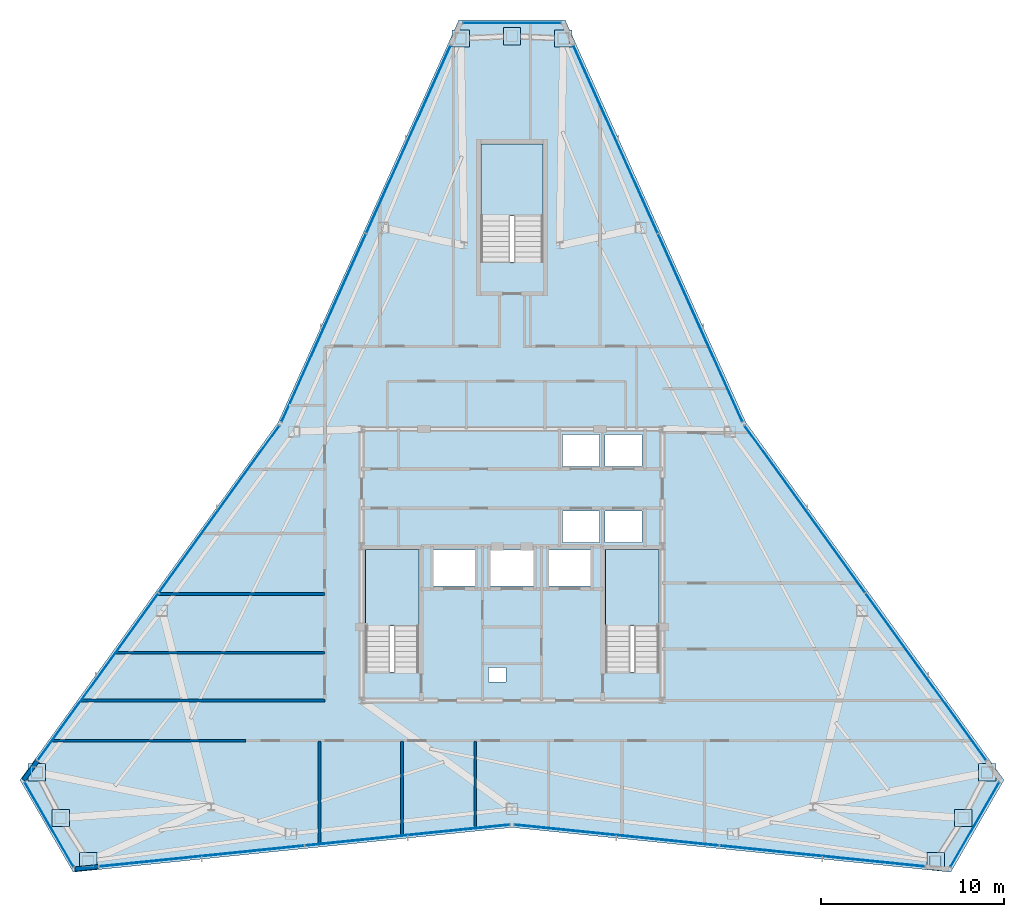
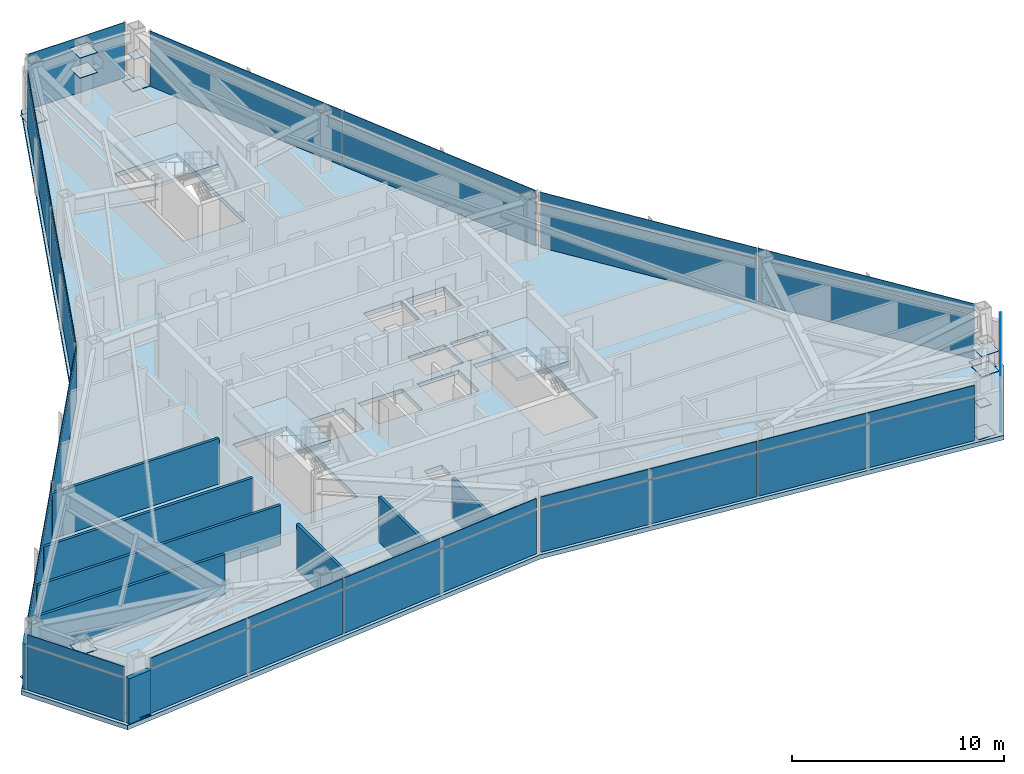
# One storey, part 8 of 12: 45 plates, 9 walls, 4 slabs, 12 elements without a shape of their own.
"""IFC4 building model written with IfcOpenShell, lengths in metres."""

from ifc_helpers import new_model, si_unit, direction, frame, frame_2d, origin, origin_2d, place, context, subcontext, project, spatial, polyline, rectangle, outline, extrude, source, transform, mapped, material, layer, layer_set, type_object, type_shapes, element, aggregate, save


model = new_model("IFC4")

# Units and contexts
model_context = context("Model", 3, precision=1e-05, world=origin(), true_north=direction((0.0, 1.0)))
body_context = subcontext(model_context, "Body", "Model", "MODEL_VIEW")
ifc_project = project(units=[si_unit("LENGTHUNIT", "METRE"), si_unit("AREAUNIT", "SQUARE_METRE"), si_unit("VOLUMEUNIT", "CUBIC_METRE"), si_unit("PLANEANGLEUNIT", "RADIAN"), si_unit("MASSUNIT", "GRAM", prefix="KILO")], contexts=[model_context])

# Site, building, storey
site_placement = place(None, origin())
site = spatial("IfcSite", under=ifc_project, at=site_placement, CompositionType="ELEMENT")
building_placement = place(site_placement, origin())
building = spatial("IfcBuilding", under=site, at=building_placement, Name="Varakhsha Concourse Tower", CompositionType="ELEMENT")
storey_placement = place(building_placement, frame((0.0, 0.0, 255.0)))
storey = spatial("IfcBuildingStorey", under=building, at=storey_placement, Name="L72", CompositionType="ELEMENT", Elevation=255.0)

# Slab
ifc_material_1 = material(Name="Concrete fc 45 MPa", Category="concrete")
ifc_layer_1 = layer(ifc_material_1, 0.25, Name="SL-FLR-250")
ifc_layer_set_1 = layer_set([ifc_layer_1], Name="Concrete fc 45 MPa")
slab_type_1 = type_object("IfcSlabType", Name="SL-FLR-250", PredefinedType="FLOOR", material=ifc_layer_set_1)
slab_1_placement = place(storey_placement, frame((0.0, 0.0, -0.25)))
element("IfcSlab", 1, at=slab_1_placement, inside=storey, type_object=slab_type_1, Name="L72 Composite Structural Slab", PredefinedType="FLOOR", context=body_context, shape_type="SweptSolid", body=[
    extrude(outline(polyline([(42.89990234375, 53.4970703125), (37.10009765625, 53.4970703125), (27.249267578125, 31.5615234375), (13.177978515625, 12.06298828125), (16.077880859375, 7.0400390625), (40.0, 9.476806640625), (63.922119140625, 7.0400390625), (66.822021484375, 12.06298828125), (52.750732421875, 31.5615234375), (42.89990234375, 53.4970703125)]), holes=[polyline([(34.919921875, 17.93994140625), (34.919921875, 24.6298828125), (32.0, 24.6298828125), (32.0, 17.93994140625), (34.919921875, 17.93994140625)]), polyline([(48.02001953125, 17.93994140625), (48.02001953125, 24.6298828125), (45.10009765625, 24.6298828125), (45.10009765625, 17.93994140625), (48.02001953125, 17.93994140625)]), polyline([(41.699951171875, 40.300048828125), (41.699951171875, 46.75), (38.300048828125, 46.75), (38.300048828125, 40.300048828125), (41.699951171875, 40.300048828125)]), polyline([(42.739990234375, 29.159912109375), (44.780029296875, 29.159912109375), (44.780029296875, 30.89990234375), (42.739990234375, 30.89990234375), (42.739990234375, 29.159912109375)]), polyline([(45.06005859375, 29.159912109375), (47.10009765625, 29.159912109375), (47.10009765625, 30.89990234375), (45.06005859375, 30.89990234375), (45.06005859375, 29.159912109375)]), polyline([(42.739990234375, 25.0), (44.780029296875, 25.0), (44.780029296875, 26.739990234375), (42.739990234375, 26.739990234375), (42.739990234375, 25.0)]), polyline([(45.06005859375, 25.0), (47.10009765625, 25.0), (47.10009765625, 26.739990234375), (45.06005859375, 26.739990234375), (45.06005859375, 25.0)]), polyline([(35.7099609375, 22.639892578125), (37.989990234375, 22.639892578125), (37.989990234375, 24.60009765625), (35.7099609375, 24.60009765625), (35.7099609375, 22.639892578125)]), polyline([(42.010009765625, 22.639892578125), (44.2900390625, 22.639892578125), (44.2900390625, 24.60009765625), (42.010009765625, 24.60009765625), (42.010009765625, 22.639892578125)]), polyline([(38.81005859375, 22.639892578125), (41.18994140625, 22.639892578125), (41.18994140625, 24.60009765625), (38.81005859375, 24.60009765625), (38.81005859375, 22.639892578125)]), polyline([(38.719970703125, 17.39990234375), (39.679931640625, 17.39990234375), (39.679931640625, 18.199951171875), (38.719970703125, 18.199951171875), (38.719970703125, 17.39990234375)])]), origin(), (0.0, 0.0, 1.0), 0.25),
])

# Stair, slab
stair_type_1 = type_object("IfcStairType", Name="ST-DOGLEG-1360", PredefinedType="HALF_TURN_STAIR", material=ifc_material_1)
stair_1_placement = place(storey_placement, origin())
stair_1 = element("IfcStair", 2, at=stair_1_placement, inside=storey, type_object=stair_type_1, Name="L72 Protected Exit Stair ST1", PredefinedType="HALF_TURN_STAIR")
ifc_layer_2 = layer(ifc_material_1, 0.199951171875, Name="SL-LAND-200")
ifc_layer_set_2 = layer_set([ifc_layer_2], Name="Concrete fc 45 MPa")
slab_type_2 = type_object("IfcSlabType", Name="SL-LAND-200", PredefinedType="LANDING", material=ifc_layer_set_2)
slab_2_placement = place(storey_placement, frame((0.0, 0.0, 1.550048828125)))
slab_2 = element("IfcSlab", 3, at=slab_2_placement, type_object=slab_type_2, Name="ST1 landing 1", PredefinedType="LANDING", context=body_context, shape_type="SweptSolid", body=[
    extrude(outline(polyline([(34.919921875, 20.4599609375), (34.919921875, 24.6298828125), (32.0, 24.6298828125), (32.0, 20.4599609375), (34.919921875, 20.4599609375)])), origin(), (0.0, 0.0, 1.0), 0.199951171875),
])
aggregate(stair_1, [slab_2])

stair_2_placement = place(storey_placement, origin())
stair_2 = element("IfcStair", 4, at=stair_2_placement, inside=storey, type_object=stair_type_1, Name="L72 Protected Exit Stair ST2", PredefinedType="HALF_TURN_STAIR")
slab_3_placement = place(storey_placement, frame((0.0, 0.0, 1.550048828125)))
slab_3 = element("IfcSlab", 5, at=slab_3_placement, type_object=slab_type_2, Name="ST2 landing 1", PredefinedType="LANDING", context=body_context, shape_type="SweptSolid", body=[
    extrude(outline(polyline([(48.02001953125, 20.4599609375), (48.02001953125, 24.6298828125), (45.10009765625, 24.6298828125), (45.10009765625, 20.4599609375), (48.02001953125, 20.4599609375)])), origin(), (0.0, 0.0, 1.0), 0.199951171875),
])
aggregate(stair_2, [slab_3])

stair_type_2 = type_object("IfcStairType", Name="ST-DOGLEG-1600", PredefinedType="HALF_TURN_STAIR", material=ifc_material_1)
stair_3_placement = place(storey_placement, origin())
stair_3 = element("IfcStair", 6, at=stair_3_placement, inside=storey, type_object=stair_type_2, Name="L72 Protected Exit Stair ST5", PredefinedType="HALF_TURN_STAIR")
slab_4_placement = place(storey_placement, frame((0.0, 0.0, 1.550048828125)))
slab_4 = element("IfcSlab", 7, at=slab_4_placement, type_object=slab_type_2, Name="ST5 landing 1", PredefinedType="LANDING", context=body_context, shape_type="SweptSolid", body=[
    extrude(outline(polyline([(41.699951171875, 42.820068359375), (41.699951171875, 46.75), (38.300048828125, 46.75), (38.300048828125, 42.820068359375), (41.699951171875, 42.820068359375)])), origin(), (0.0, 0.0, 1.0), 0.199951171875),
])
aggregate(stair_3, [slab_4])

# Plates
ifc_material_2 = material(Name="Structural Steel ASTM A572 Grade 50", Category="steel")
ifc_layer_3 = layer(ifc_material_2, 0.030029296875, Name="PL-ENDCAP-950")
ifc_layer_set_3 = layer_set([ifc_layer_3], Name="Structural Steel ASTM A572 Grade 50")
plate_type_1 = type_object("IfcPlateType", Name="PL-ENDCAP-950", PredefinedType="USERDEFINED", material=ifc_layer_set_3)
shared_shape_1 = source(origin(), body_context, "Body", "SweptSolid", [
    extrude(rectangle(XDim=0.949951171875, YDim=0.949951171875, at=origin_2d()), origin(), (0.0, 0.0, 1.0), 0.030029296875),
])
type_shapes(plate_type_1, [shared_shape_1])
for number, where, z_axis, x_axis, name in (
    (8, (42.80029296875, 52.489990234375, 0.10498046875), (0.0, 0.0, 1.0), (1.0, 0.0, 0.0), "Hollow Section End Cap GP-NODE-L72-0766"),
    (9, (40.0, 52.6171875, 2.93505859375), (0.0, 0.0, 1.0), (1.0, 0.0, 0.0), "Hollow Section End Cap GP-NODE-L72-0767"),
    (10, (37.19970703125, 52.489990234375, 0.10498046875), (0.0, 0.0, 1.0), (1.0, 0.0, 0.0), "Hollow Section End Cap GP-NODE-L72-0768"),
    (11, (14.10009765625, 12.47998046875, 0.10498046875), (0.0, 0.0, 1.0), (1.0, 0.0, 0.0), "Hollow Section End Cap GP-NODE-L72-0769"),
    (12, (15.39013671875, 9.991455078125, 2.93505859375), (0.0, 0.0, 1.0), (1.0, 0.0, 0.0), "Hollow Section End Cap GP-NODE-L72-0770"),
    (13, (16.900390625, 7.6298828125, 0.10498046875), (0.0, 0.0, 1.0), (1.0, 0.0, 0.0), "Hollow Section End Cap GP-NODE-L72-0771"),
    (14, (63.099609375, 7.6298828125, 0.10498046875), (0.0, 0.0, 1.0), (1.0, 0.0, 0.0), "Hollow Section End Cap GP-NODE-L72-0772"),
    (15, (64.60986328125, 9.991455078125, 2.93505859375), (0.0, 0.0, 1.0), (1.0, 0.0, 0.0), "Hollow Section End Cap GP-NODE-L72-0773"),
    (16, (65.89990234375, 12.47998046875, 0.10498046875), (0.0, 0.0, 1.0), (1.0, 0.0, 0.0), "Hollow Section End Cap GP-NODE-L72-0774"),
    (17, (40.0, 52.6171875, 1.78515625), (0.0, 0.0, 1.0), (1.0, 0.0, 0.0), "Hollow Section End Cap GP-NODE-L72-0775"),
    (18, (15.39013671875, 9.991455078125, 1.78515625), (0.0, 0.0, 1.0), (1.0, 0.0, 0.0), "Hollow Section End Cap GP-NODE-L72-0776"),
    (19, (64.60986328125, 9.991455078125, 1.78515625), (0.0, 0.0, 1.0), (1.0, 0.0, 0.0), "Hollow Section End Cap GP-NODE-L72-0777"),
):
    element("IfcPlate", number, at=place(storey_placement, frame(where, z_axis=z_axis, x_axis=x_axis)), inside=storey, type_object=plate_type_1, Name=name, ObjectType="END PLATE", PredefinedType="USERDEFINED", context=body_context, shape_type="MappedRepresentation", body=[
        mapped(shared_shape_1, transform((0.0, 0.0, 0.0), scale=1.0)),
    ])
ifc_layer_4 = layer(ifc_material_2, 0.030029296875, Name="PL-BASE-600")
ifc_layer_set_4 = layer_set([ifc_layer_4], Name="Structural Steel ASTM A572 Grade 50")
plate_type_2 = type_object("IfcPlateType", Name="PL-BASE-600", PredefinedType="SHEET", material=ifc_layer_set_4)
shared_shape_2 = source(origin(), body_context, "Body", "SweptSolid", [
    extrude(rectangle(XDim=0.60009765625, YDim=0.60009765625, at=origin_2d()), origin(), (0.0, 0.0, 1.0), 0.030029296875),
])
type_shapes(plate_type_2, [shared_shape_2])
for number, where, z_axis, x_axis, name in (
    (20, (42.80029296875, 52.489990234375, 1.78515625), (0.0, 0.0, 1.0), (1.0, 0.0, 0.0), "Hollow Section End Cap BP-WTIE-L72-1"),
    (21, (14.10009765625, 12.47998046875, 1.78515625), (0.0, 0.0, 1.0), (1.0, 0.0, 0.0), "Hollow Section End Cap BP-WTIE-L72-2"),
    (22, (63.099609375, 7.6298828125, 1.78515625), (0.0, 0.0, 1.0), (1.0, 0.0, 0.0), "Hollow Section End Cap BP-WTIE-L72-3"),
):
    element("IfcPlate", number, at=place(storey_placement, frame(where, z_axis=z_axis, x_axis=x_axis)), inside=storey, type_object=plate_type_2, Name=name, PredefinedType="SHEET", context=body_context, shape_type="MappedRepresentation", body=[
        mapped(shared_shape_2, transform((0.0, 0.0, 0.0), scale=1.0)),
    ])

# Curtain wall, plate
ifc_material_3 = material(Name="Anodised Bronze Architectural Aluminium AA 6063-T6", Category="aluminium")
ifc_layer_5 = layer(ifc_material_3, 0.199951171875, Name="CW-SYS-05")
ifc_layer_set_5 = layer_set([ifc_layer_5], Name="Anodised Bronze Architectural Aluminium AA 6063-T6")
curtain_wall_type = type_object("IfcCurtainWallType", Name="CW-SYS-05", PredefinedType="NOTDEFINED", material=ifc_layer_set_5)
curtain_wall_1_placement = place(storey_placement, origin())
curtain_wall_1 = element("IfcCurtainWall", 23, at=curtain_wall_1_placement, inside=storey, type_object=curtain_wall_type, Name="L72 Chamfer Curtain Wall F1", PredefinedType="NOTDEFINED")
ifc_material_4 = material(Name="Insulated Anodised Bronze Aluminium Spandrel 36 mm", Category="aluminium")
ifc_layer_6 = layer(ifc_material_4, 0.035888671875, Name="CWP-SPN-36")
ifc_layer_set_6 = layer_set([ifc_layer_6], Name="Insulated Anodised Bronze Aluminium Spandrel 36 mm")
plate_type_3 = type_object("IfcPlateType", Name="CWP-SPN-36", PredefinedType="USERDEFINED", material=ifc_layer_set_6)
shared_shape_3 = source(origin(), body_context, "Body", "SweptSolid", [
    extrude(rectangle(XDim=5.291015625, YDim=0.035888671875, at=origin_2d()), origin(), (0.0, 0.0, 1.0), 0.5859375),
])
plate_1_placement = place(storey_placement, frame((40.0, 53.337158203125, 2.632080078125), z_axis=(0.0, 0.0, 1.0), x_axis=(1.0, 0.0, 0.0)))
plate_1 = element("IfcPlate", 24, at=plate_1_placement, type_object=plate_type_3, Name="CW-L72-F1 Panel 00-01", ObjectType="SPANDREL", PredefinedType="USERDEFINED", context=body_context, shape_type="MappedRepresentation", body=[
    mapped(shared_shape_3, transform((0.0, 0.0, 0.0), scale=1.0)),
])

curtain_wall_2_placement = place(storey_placement, origin())
curtain_wall_2 = element("IfcCurtainWall", 25, at=curtain_wall_2_placement, inside=storey, type_object=curtain_wall_type, Name="L72 Chamfer Curtain Wall F4", PredefinedType="NOTDEFINED")
plate_2_placement = place(storey_placement, frame((14.7666015625, 9.631591796875, 2.632080078125), z_axis=(0.0, 0.0, 1.0), x_axis=(-0.5, 0.866025403784, 0.0)))
plate_2 = element("IfcPlate", 26, at=plate_2_placement, type_object=plate_type_3, Name="CW-L72-F4 Panel 00-01", ObjectType="SPANDREL", PredefinedType="USERDEFINED", context=body_context, shape_type="MappedRepresentation", body=[
    mapped(shared_shape_3, transform((0.0, 0.0, 0.0), scale=1.0)),
])

curtain_wall_3_placement = place(storey_placement, origin())
curtain_wall_3 = element("IfcCurtainWall", 27, at=curtain_wall_3_placement, inside=storey, type_object=curtain_wall_type, Name="L72 Chamfer Curtain Wall F7", PredefinedType="NOTDEFINED")
plate_3_placement = place(storey_placement, frame((65.2333984375, 9.631591796875, 2.632080078125), z_axis=(0.0, 0.0, 1.0), x_axis=(-0.5, -0.866025403784, 0.0)))
plate_3 = element("IfcPlate", 28, at=plate_3_placement, type_object=plate_type_3, Name="CW-L72-F7 Panel 00-01", ObjectType="SPANDREL", PredefinedType="USERDEFINED", context=body_context, shape_type="MappedRepresentation", body=[
    mapped(shared_shape_3, transform((0.0, 0.0, 0.0), scale=1.0)),
])

# Plate
shared_shape_4 = source(origin(), body_context, "Body", "SweptSolid", [
    extrude(rectangle(XDim=5.291015625, YDim=0.035888671875, at=origin_2d()), origin(), (0.0, 0.0, 1.0), 2.535888671875),
])
plate_4_placement = place(storey_placement, frame((40.0, 53.337158203125, 0.0322265625), z_axis=(0.0, 0.0, 1.0), x_axis=(1.0, 0.0, 0.0)))
plate_4 = element("IfcPlate", 29, at=plate_4_placement, type_object=plate_type_3, Name="CW-L72-F1 Panel 00-00", ObjectType="SPANDREL", PredefinedType="USERDEFINED", context=body_context, shape_type="MappedRepresentation", body=[
    mapped(shared_shape_4, transform((0.0, 0.0, 0.0), scale=1.0)),
])

aggregate(curtain_wall_1, [plate_4, plate_1])

plate_5_placement = place(storey_placement, frame((14.7666015625, 9.631591796875, 0.0322265625), z_axis=(0.0, 0.0, 1.0), x_axis=(-0.5, 0.866025403784, 0.0)))
plate_5 = element("IfcPlate", 30, at=plate_5_placement, type_object=plate_type_3, Name="CW-L72-F4 Panel 00-00", ObjectType="SPANDREL", PredefinedType="USERDEFINED", context=body_context, shape_type="MappedRepresentation", body=[
    mapped(shared_shape_4, transform((0.0, 0.0, 0.0), scale=1.0)),
])

aggregate(curtain_wall_2, [plate_5, plate_2])

plate_6_placement = place(storey_placement, frame((65.2333984375, 9.631591796875, 0.0322265625), z_axis=(0.0, 0.0, 1.0), x_axis=(-0.5, -0.866025403784, 0.0)))
plate_6 = element("IfcPlate", 31, at=plate_6_placement, type_object=plate_type_3, Name="CW-L72-F7 Panel 00-00", ObjectType="SPANDREL", PredefinedType="USERDEFINED", context=body_context, shape_type="MappedRepresentation", body=[
    mapped(shared_shape_4, transform((0.0, 0.0, 0.0), scale=1.0)),
])

aggregate(curtain_wall_3, [plate_6, plate_3])

# Curtain wall, plate
curtain_wall_4_placement = place(storey_placement, origin())
curtain_wall_4 = element("IfcCurtainWall", 32, at=curtain_wall_4_placement, inside=storey, type_object=curtain_wall_type, Name="L72 Crystal Curtain Wall F2", PredefinedType="NOTDEFINED")
ifc_material_5 = material(Name="Low-E Triple Insulating Glass IGU 44 mm", Category="glass")
ifc_layer_7 = layer(ifc_material_5, 0.0439453125, Name="CWP-IGU-44")
ifc_layer_set_7 = layer_set([ifc_layer_7], Name="Low-E Triple Insulating Glass IGU 44 mm")
plate_type_4 = type_object("IfcPlateType", Name="CWP-IGU-44", PredefinedType="CURTAIN_PANEL", material=ifc_layer_set_7)
shared_shape_5 = source(origin(), body_context, "Body", "SweptSolid", [
    extrude(rectangle(XDim=11.203857421875, YDim=0.0439453125, at=origin_2d()), origin(), (0.0, 0.0, 1.0), 2.535888671875),
])
plate_7_placement = place(storey_placement, frame((29.737060546875, 36.710693359375, 0.0322265625), z_axis=(0.0, 0.0, 1.0), x_axis=(0.409661937266, 0.912237412714, 0.0)))
plate_7 = element("IfcPlate", 33, at=plate_7_placement, type_object=plate_type_4, Name="CW-L72-F2 Panel 00-00", PredefinedType="CURTAIN_PANEL", context=body_context, shape_type="MappedRepresentation", body=[
    mapped(shared_shape_5, transform((0.0, 0.0, 0.0), scale=1.0)),
])

# Curtain wall, plates
curtain_wall_5_placement = place(storey_placement, origin())
curtain_wall_5 = element("IfcCurtainWall", 34, at=curtain_wall_5_placement, inside=storey, type_object=curtain_wall_type, Name="L72 Crystal Curtain Wall F3", PredefinedType="NOTDEFINED")
plate_8_placement = place(storey_placement, frame((17.43701171875, 17.69140625, 0.0322265625), z_axis=(0.0, 0.0, 1.0), x_axis=(0.585188389778, 0.81089737234, 0.0)))
plate_8 = element("IfcPlate", 35, at=plate_8_placement, type_object=plate_type_4, Name="CW-L72-F3 Panel 00-00", PredefinedType="CURTAIN_PANEL", context=body_context, shape_type="MappedRepresentation", body=[
    mapped(shared_shape_5, transform((0.0, 0.0, 0.0), scale=1.0)),
])
plate_9_placement = place(storey_placement, frame((24.03369140625, 26.83251953125, 0.0322265625), z_axis=(0.0, 0.0, 1.0), x_axis=(0.585188389778, 0.81089737234, 0.0)))
plate_9 = element("IfcPlate", 36, at=plate_9_placement, type_object=plate_type_4, Name="CW-L72-F3 Panel 01-00", PredefinedType="CURTAIN_PANEL", context=body_context, shape_type="MappedRepresentation", body=[
    mapped(shared_shape_5, transform((0.0, 0.0, 0.0), scale=1.0)),
])

curtain_wall_6_placement = place(storey_placement, origin())
curtain_wall_6 = element("IfcCurtainWall", 37, at=curtain_wall_6_placement, inside=storey, type_object=curtain_wall_type, Name="L72 Crystal Curtain Wall F5", PredefinedType="NOTDEFINED")
plate_10_placement = place(storey_placement, frame((34.296875, 9.056640625, 0.0322265625), z_axis=(0.0, 0.0, 1.0), x_axis=(-0.994852272933, -0.101335852689, 0.0)))
plate_10 = element("IfcPlate", 38, at=plate_10_placement, type_object=plate_type_4, Name="CW-L72-F5 Panel 00-00", PredefinedType="CURTAIN_PANEL", context=body_context, shape_type="MappedRepresentation", body=[
    mapped(shared_shape_5, transform((0.0, 0.0, 0.0), scale=1.0)),
])
plate_11_placement = place(storey_placement, frame((23.081787109375, 7.914306640625, 0.0322265625), z_axis=(0.0, 0.0, 1.0), x_axis=(-0.994852272933, -0.101335852689, 0.0)))
plate_11 = element("IfcPlate", 39, at=plate_11_placement, type_object=plate_type_4, Name="CW-L72-F5 Panel 01-00", PredefinedType="CURTAIN_PANEL", context=body_context, shape_type="MappedRepresentation", body=[
    mapped(shared_shape_5, transform((0.0, 0.0, 0.0), scale=1.0)),
])

curtain_wall_7_placement = place(storey_placement, origin())
curtain_wall_7 = element("IfcCurtainWall", 40, at=curtain_wall_7_placement, inside=storey, type_object=curtain_wall_type, Name="L72 Crystal Curtain Wall F6", PredefinedType="NOTDEFINED")
plate_12_placement = place(storey_placement, frame((56.918212890625, 7.914306640625, 0.0322265625), z_axis=(0.0, 0.0, 1.0), x_axis=(-0.994852272933, 0.101335852689, 0.0)))
plate_12 = element("IfcPlate", 41, at=plate_12_placement, type_object=plate_type_4, Name="CW-L72-F6 Panel 00-00", PredefinedType="CURTAIN_PANEL", context=body_context, shape_type="MappedRepresentation", body=[
    mapped(shared_shape_5, transform((0.0, 0.0, 0.0), scale=1.0)),
])
plate_13_placement = place(storey_placement, frame((45.703125, 9.056640625, 0.0322265625), z_axis=(0.0, 0.0, 1.0), x_axis=(-0.994852272933, 0.101335852689, 0.0)))
plate_13 = element("IfcPlate", 42, at=plate_13_placement, type_object=plate_type_4, Name="CW-L72-F6 Panel 01-00", PredefinedType="CURTAIN_PANEL", context=body_context, shape_type="MappedRepresentation", body=[
    mapped(shared_shape_5, transform((0.0, 0.0, 0.0), scale=1.0)),
])

curtain_wall_8_placement = place(storey_placement, origin())
curtain_wall_8 = element("IfcCurtainWall", 43, at=curtain_wall_8_placement, inside=storey, type_object=curtain_wall_type, Name="L72 Crystal Curtain Wall F8", PredefinedType="NOTDEFINED")
plate_14_placement = place(storey_placement, frame((55.96630859375, 26.83251953125, 0.0322265625), z_axis=(0.0, 0.0, 1.0), x_axis=(0.585188389778, -0.81089737234, 0.0)))
plate_14 = element("IfcPlate", 44, at=plate_14_placement, type_object=plate_type_4, Name="CW-L72-F8 Panel 00-00", PredefinedType="CURTAIN_PANEL", context=body_context, shape_type="MappedRepresentation", body=[
    mapped(shared_shape_5, transform((0.0, 0.0, 0.0), scale=1.0)),
])
plate_15_placement = place(storey_placement, frame((62.56298828125, 17.69140625, 0.0322265625), z_axis=(0.0, 0.0, 1.0), x_axis=(0.585188389778, -0.81089737234, 0.0)))
plate_15 = element("IfcPlate", 45, at=plate_15_placement, type_object=plate_type_4, Name="CW-L72-F8 Panel 01-00", PredefinedType="CURTAIN_PANEL", context=body_context, shape_type="MappedRepresentation", body=[
    mapped(shared_shape_5, transform((0.0, 0.0, 0.0), scale=1.0)),
])

# Curtain wall, plate
curtain_wall_9_placement = place(storey_placement, origin())
curtain_wall_9 = element("IfcCurtainWall", 46, at=curtain_wall_9_placement, inside=storey, type_object=curtain_wall_type, Name="L72 Crystal Curtain Wall F9", PredefinedType="NOTDEFINED")
plate_16_placement = place(storey_placement, frame((45.644775390625, 46.994384765625, 0.0322265625), z_axis=(0.0, 0.0, 1.0), x_axis=(0.409661937266, -0.912237412714, 0.0)))
plate_16 = element("IfcPlate", 47, at=plate_16_placement, type_object=plate_type_4, Name="CW-L72-F9 Panel 00-00", PredefinedType="CURTAIN_PANEL", context=body_context, shape_type="MappedRepresentation", body=[
    mapped(shared_shape_5, transform((0.0, 0.0, 0.0), scale=1.0)),
])

# Plate
shared_shape_6 = source(origin(), body_context, "Body", "SweptSolid", [
    extrude(rectangle(XDim=11.203857421875, YDim=0.035888671875, at=origin_2d()), origin(), (0.0, 0.0, 1.0), 0.5859375),
])
plate_17_placement = place(storey_placement, frame((29.737060546875, 36.710693359375, 2.632080078125), z_axis=(0.0, 0.0, 1.0), x_axis=(0.409661937266, 0.912237412714, 0.0)))
plate_17 = element("IfcPlate", 48, at=plate_17_placement, type_object=plate_type_3, Name="CW-L72-F2 Panel 00-01", ObjectType="SPANDREL", PredefinedType="USERDEFINED", context=body_context, shape_type="MappedRepresentation", body=[
    mapped(shared_shape_6, transform((0.0, 0.0, 0.0), scale=1.0)),
])

plate_18_placement = place(storey_placement, frame((17.43701171875, 17.69140625, 2.632080078125), z_axis=(0.0, 0.0, 1.0), x_axis=(0.585188389778, 0.81089737234, 0.0)))
plate_18 = element("IfcPlate", 49, at=plate_18_placement, type_object=plate_type_3, Name="CW-L72-F3 Panel 00-01", ObjectType="SPANDREL", PredefinedType="USERDEFINED", context=body_context, shape_type="MappedRepresentation", body=[
    mapped(shared_shape_6, transform((0.0, 0.0, 0.0), scale=1.0)),
])

plate_19_placement = place(storey_placement, frame((24.03369140625, 26.83251953125, 2.632080078125), z_axis=(0.0, 0.0, 1.0), x_axis=(0.585188389778, 0.81089737234, 0.0)))
plate_19 = element("IfcPlate", 50, at=plate_19_placement, type_object=plate_type_3, Name="CW-L72-F3 Panel 01-01", ObjectType="SPANDREL", PredefinedType="USERDEFINED", context=body_context, shape_type="MappedRepresentation", body=[
    mapped(shared_shape_6, transform((0.0, 0.0, 0.0), scale=1.0)),
])

aggregate(curtain_wall_5, [plate_8, plate_18, plate_9, plate_19])

plate_20_placement = place(storey_placement, frame((34.296875, 9.056640625, 2.632080078125), z_axis=(0.0, 0.0, 1.0), x_axis=(-0.994852272933, -0.101335852689, 0.0)))
plate_20 = element("IfcPlate", 51, at=plate_20_placement, type_object=plate_type_3, Name="CW-L72-F5 Panel 00-01", ObjectType="SPANDREL", PredefinedType="USERDEFINED", context=body_context, shape_type="MappedRepresentation", body=[
    mapped(shared_shape_6, transform((0.0, 0.0, 0.0), scale=1.0)),
])

plate_21_placement = place(storey_placement, frame((23.081787109375, 7.914306640625, 2.632080078125), z_axis=(0.0, 0.0, 1.0), x_axis=(-0.994852272933, -0.101335852689, 0.0)))
plate_21 = element("IfcPlate", 52, at=plate_21_placement, type_object=plate_type_3, Name="CW-L72-F5 Panel 01-01", ObjectType="SPANDREL", PredefinedType="USERDEFINED", context=body_context, shape_type="MappedRepresentation", body=[
    mapped(shared_shape_6, transform((0.0, 0.0, 0.0), scale=1.0)),
])

aggregate(curtain_wall_6, [plate_10, plate_20, plate_11, plate_21])

plate_22_placement = place(storey_placement, frame((56.918212890625, 7.914306640625, 2.632080078125), z_axis=(0.0, 0.0, 1.0), x_axis=(-0.994852272933, 0.101335852689, 0.0)))
plate_22 = element("IfcPlate", 53, at=plate_22_placement, type_object=plate_type_3, Name="CW-L72-F6 Panel 00-01", ObjectType="SPANDREL", PredefinedType="USERDEFINED", context=body_context, shape_type="MappedRepresentation", body=[
    mapped(shared_shape_6, transform((0.0, 0.0, 0.0), scale=1.0)),
])

plate_23_placement = place(storey_placement, frame((45.703125, 9.056640625, 2.632080078125), z_axis=(0.0, 0.0, 1.0), x_axis=(-0.994852272933, 0.101335852689, 0.0)))
plate_23 = element("IfcPlate", 54, at=plate_23_placement, type_object=plate_type_3, Name="CW-L72-F6 Panel 01-01", ObjectType="SPANDREL", PredefinedType="USERDEFINED", context=body_context, shape_type="MappedRepresentation", body=[
    mapped(shared_shape_6, transform((0.0, 0.0, 0.0), scale=1.0)),
])

aggregate(curtain_wall_7, [plate_12, plate_22, plate_13, plate_23])

plate_24_placement = place(storey_placement, frame((55.96630859375, 26.83251953125, 2.632080078125), z_axis=(0.0, 0.0, 1.0), x_axis=(0.585188389778, -0.81089737234, 0.0)))
plate_24 = element("IfcPlate", 55, at=plate_24_placement, type_object=plate_type_3, Name="CW-L72-F8 Panel 00-01", ObjectType="SPANDREL", PredefinedType="USERDEFINED", context=body_context, shape_type="MappedRepresentation", body=[
    mapped(shared_shape_6, transform((0.0, 0.0, 0.0), scale=1.0)),
])

plate_25_placement = place(storey_placement, frame((62.56298828125, 17.69140625, 2.632080078125), z_axis=(0.0, 0.0, 1.0), x_axis=(0.585188389778, -0.81089737234, 0.0)))
plate_25 = element("IfcPlate", 56, at=plate_25_placement, type_object=plate_type_3, Name="CW-L72-F8 Panel 01-01", ObjectType="SPANDREL", PredefinedType="USERDEFINED", context=body_context, shape_type="MappedRepresentation", body=[
    mapped(shared_shape_6, transform((0.0, 0.0, 0.0), scale=1.0)),
])

aggregate(curtain_wall_8, [plate_14, plate_24, plate_15, plate_25])

plate_26_placement = place(storey_placement, frame((45.644775390625, 46.994384765625, 2.632080078125), z_axis=(0.0, 0.0, 1.0), x_axis=(0.409661937266, -0.912237412714, 0.0)))
plate_26 = element("IfcPlate", 57, at=plate_26_placement, type_object=plate_type_3, Name="CW-L72-F9 Panel 00-01", ObjectType="SPANDREL", PredefinedType="USERDEFINED", context=body_context, shape_type="MappedRepresentation", body=[
    mapped(shared_shape_6, transform((0.0, 0.0, 0.0), scale=1.0)),
])

shared_shape_7 = source(origin(), body_context, "Body", "SweptSolid", [
    extrude(rectangle(XDim=11.2041015625, YDim=0.0439453125, at=origin_2d()), origin(), (0.0, 0.0, 1.0), 2.535888671875),
])
type_shapes(plate_type_4, [shared_shape_5, shared_shape_7])
plate_27_placement = place(storey_placement, frame((34.35498046875, 46.994384765625, 0.0322265625), z_axis=(0.0, 0.0, 1.0), x_axis=(0.409661937266, 0.912237412714, 0.0)))
plate_27 = element("IfcPlate", 58, at=plate_27_placement, type_object=plate_type_4, Name="CW-L72-F2 Panel 01-00", PredefinedType="CURTAIN_PANEL", context=body_context, shape_type="MappedRepresentation", body=[
    mapped(shared_shape_7, transform((0.0, 0.0, 0.0), scale=1.0)),
])

plate_28_placement = place(storey_placement, frame((50.262939453125, 36.710693359375, 0.0322265625), z_axis=(0.0, 0.0, 1.0), x_axis=(0.409661937266, -0.912237412714, 0.0)))
plate_28 = element("IfcPlate", 59, at=plate_28_placement, type_object=plate_type_4, Name="CW-L72-F9 Panel 01-00", PredefinedType="CURTAIN_PANEL", context=body_context, shape_type="MappedRepresentation", body=[
    mapped(shared_shape_7, transform((0.0, 0.0, 0.0), scale=1.0)),
])

shared_shape_8 = source(origin(), body_context, "Body", "SweptSolid", [
    extrude(rectangle(XDim=11.2041015625, YDim=0.035888671875, at=origin_2d()), origin(), (0.0, 0.0, 1.0), 0.5859375),
])
type_shapes(plate_type_3, [shared_shape_3, shared_shape_4, shared_shape_6, shared_shape_8])
plate_29_placement = place(storey_placement, frame((34.35498046875, 46.994384765625, 2.632080078125), z_axis=(0.0, 0.0, 1.0), x_axis=(0.409661937266, 0.912237412714, 0.0)))
plate_29 = element("IfcPlate", 60, at=plate_29_placement, type_object=plate_type_3, Name="CW-L72-F2 Panel 01-01", ObjectType="SPANDREL", PredefinedType="USERDEFINED", context=body_context, shape_type="MappedRepresentation", body=[
    mapped(shared_shape_8, transform((0.0, 0.0, 0.0), scale=1.0)),
])

aggregate(curtain_wall_4, [plate_7, plate_17, plate_27, plate_29])

plate_30_placement = place(storey_placement, frame((50.262939453125, 36.710693359375, 2.632080078125), z_axis=(0.0, 0.0, 1.0), x_axis=(0.409661937266, -0.912237412714, 0.0)))
plate_30 = element("IfcPlate", 61, at=plate_30_placement, type_object=plate_type_3, Name="CW-L72-F9 Panel 01-01", ObjectType="SPANDREL", PredefinedType="USERDEFINED", context=body_context, shape_type="MappedRepresentation", body=[
    mapped(shared_shape_8, transform((0.0, 0.0, 0.0), scale=1.0)),
])

aggregate(curtain_wall_9, [plate_16, plate_26, plate_28, plate_30])

# Walls
ifc_layer_8 = layer(ifc_material_1, 0.239990234375, Name="WL-EXT-CRN-240")
ifc_layer_set_8 = layer_set([ifc_layer_8], Name="Concrete fc 45 MPa")
wall_type_1 = type_object("IfcWallType", Name="WL-EXT-CRN-240", PredefinedType="SHEAR", material=ifc_layer_set_8)
wall_1_placement = place(storey_placement, frame((14.11962890625, 13.094482421875, 0.0), z_axis=(0.0, 0.0, 1.0), x_axis=(-0.585112505524, -0.810952129216, 0.0)))
element("IfcWall", 62, at=wall_1_placement, inside=storey, type_object=wall_type_1, Name="L72 Wind-Corner Shoulder Wall F3", PredefinedType="SHEAR", context=body_context, shape_type="SweptSolid", body=[
    extrude(rectangle(XDim=1.2734375, YDim=0.239990234375, at=frame_2d((0.63671875, 0.0))), origin(), (0.0, 0.0, 1.0), 2.623046875),
])
wall_2_placement = place(storey_placement, frame((16.17626953125, 7.2109375, 0.0), z_axis=(0.0, 0.0, 1.0), x_axis=(0.994855080115, 0.10130828974, 0.0)))
element("IfcWall", 63, at=wall_2_placement, inside=storey, type_object=wall_type_1, Name="L72 Wind-Corner Shoulder Wall F5", PredefinedType="SHEAR", context=body_context, shape_type="SweptSolid", body=[
    extrude(rectangle(XDim=1.2724609375, YDim=0.239990234375, at=frame_2d((0.63623046875, 0.0))), origin(), (0.0, 0.0, 1.0), 2.623046875),
])
ifc_material_6 = material(Name="Fire-Rated Type X Gypsum Partition Assembly", Category="gypsum")
ifc_layer_9 = layer(ifc_material_6, 0.14990234375, Name="WL-PART-150")
ifc_layer_set_9 = layer_set([ifc_layer_9], Name="Fire-Rated Type X Gypsum Partition Assembly")
wall_type_2 = type_object("IfcWallType", Name="WL-PART-150", PredefinedType="PARTITIONING", material=ifc_layer_set_9)
wall_3_placement = place(storey_placement, frame((14.923583984375, 14.199951171875, 0.0), z_axis=(0.0, 0.0, 1.0), x_axis=(1.0, 0.0, 0.0)))
element("IfcWall", 64, at=wall_3_placement, inside=storey, type_object=wall_type_2, Name="L72 Wall CRW-SGAL-SW-L72", PredefinedType="PARTITIONING", context=body_context, shape_type="SweptSolid", body=[
    extrude(rectangle(XDim=10.576416015625, YDim=0.14990234375, at=frame_2d((5.2880859375, 0.0))), origin(), (0.0, 0.0, 1.0), 2.2919921875),
])
wall_4_placement = place(storey_placement, frame((16.511474609375, 16.39990234375, 0.0), z_axis=(0.0, 0.0, 1.0), x_axis=(1.0, 0.0, 0.0)))
element("IfcWall", 65, at=wall_4_placement, inside=storey, type_object=wall_type_2, Name="L72 Wall CRW-SGAL-NW-L72", PredefinedType="PARTITIONING", context=body_context, shape_type="SweptSolid", body=[
    extrude(rectangle(XDim=13.28857421875, YDim=0.14990234375, at=frame_2d((6.644287109375, 0.0))), origin(), (0.0, 0.0, 1.0), 2.2919921875),
])
wall_5_placement = place(storey_placement, frame((29.5, 8.572998046875, 0.0), z_axis=(0.0, 0.0, 1.0), x_axis=(0.0, 1.0, 0.0)))
element("IfcWall", 66, at=wall_5_placement, inside=storey, type_object=wall_type_2, Name="L72 Wall ODIV-S1-L72", PredefinedType="PARTITIONING", context=body_context, shape_type="SweptSolid", body=[
    extrude(rectangle(XDim=5.626953125, YDim=0.14990234375, at=frame_2d((2.8134765625, 0.0))), origin(), (0.0, 0.0, 1.0), 2.6279296875),
])
wall_6_placement = place(storey_placement, frame((34.0, 9.031494140625, 0.0), z_axis=(0.0, 0.0, 1.0), x_axis=(0.0, 1.0, 0.0)))
element("IfcWall", 67, at=wall_6_placement, inside=storey, type_object=wall_type_2, Name="L72 Wall ODIV-S2-L72", PredefinedType="PARTITIONING", context=body_context, shape_type="SweptSolid", body=[
    extrude(rectangle(XDim=5.16845703125, YDim=0.14990234375, at=frame_2d((2.584228515625, 0.0))), origin(), (0.0, 0.0, 1.0), 2.6279296875),
])
wall_7_placement = place(storey_placement, frame((38.0, 9.438720703125, 0.0), z_axis=(0.0, 0.0, 1.0), x_axis=(0.0, 1.0, 0.0)))
element("IfcWall", 68, at=wall_7_placement, inside=storey, type_object=wall_type_2, Name="L72 Wall ODIV-S3-L72", PredefinedType="PARTITIONING", context=body_context, shape_type="SweptSolid", body=[
    extrude(rectangle(XDim=4.76123046875, YDim=0.14990234375, at=frame_2d((2.380615234375, 0.0))), origin(), (0.0, 0.0, 1.0), 2.2919921875),
])
wall_8_placement = place(storey_placement, frame((18.3876953125, 19.0, 0.0), z_axis=(0.0, 0.0, 1.0), x_axis=(1.0, 0.0, 0.0)))
element("IfcWall", 69, at=wall_8_placement, inside=storey, type_object=wall_type_2, Name="L72 Wall ODIV-W1-L72", PredefinedType="PARTITIONING", context=body_context, shape_type="SweptSolid", body=[
    extrude(rectangle(XDim=11.412353515625, YDim=0.14990234375, at=frame_2d((5.7060546875, 0.0))), origin(), (0.0, 0.0, 1.0), 2.2919921875),
])
wall_9_placement = place(storey_placement, frame((20.697021484375, 22.199951171875, 0.0), z_axis=(0.0, 0.0, 1.0), x_axis=(1.0, 0.0, 0.0)))
element("IfcWall", 70, at=wall_9_placement, inside=storey, type_object=wall_type_2, Name="L72 Wall ODIV-W2-L72", PredefinedType="PARTITIONING", context=body_context, shape_type="SweptSolid", body=[
    extrude(rectangle(XDim=9.10302734375, YDim=0.14990234375, at=frame_2d((4.551513671875, 0.0))), origin(), (0.0, 0.0, 1.0), 2.6279296875),
])

save(model, "model.ifc")
